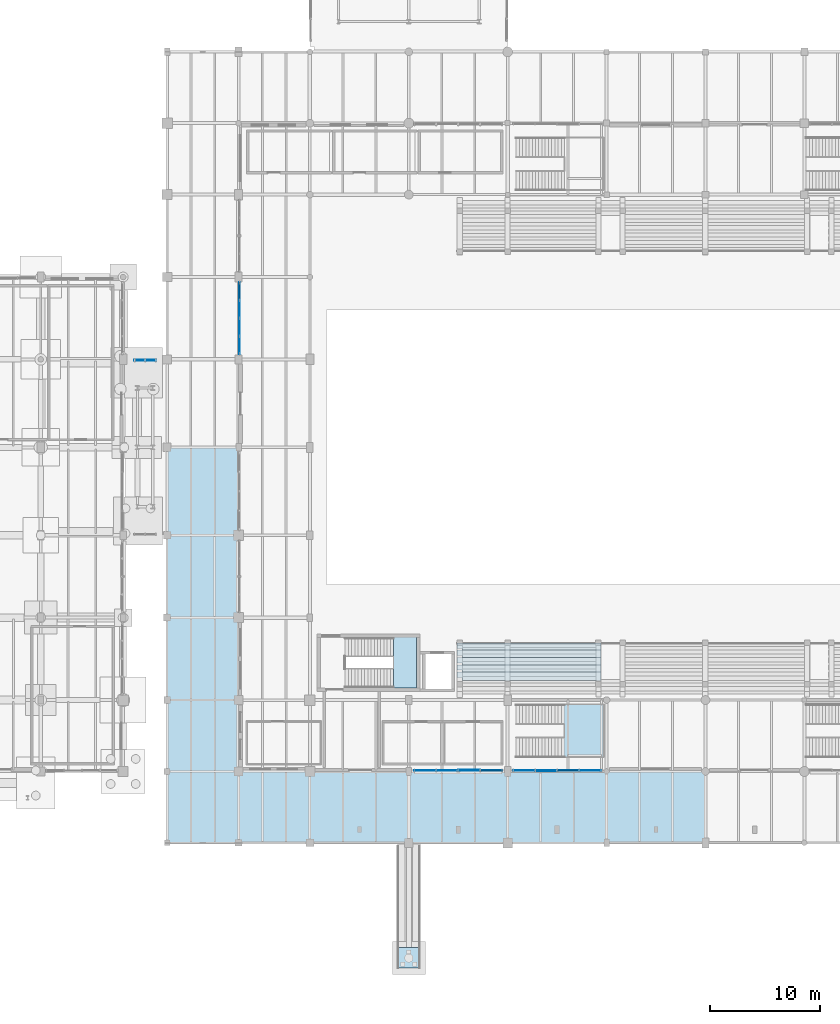
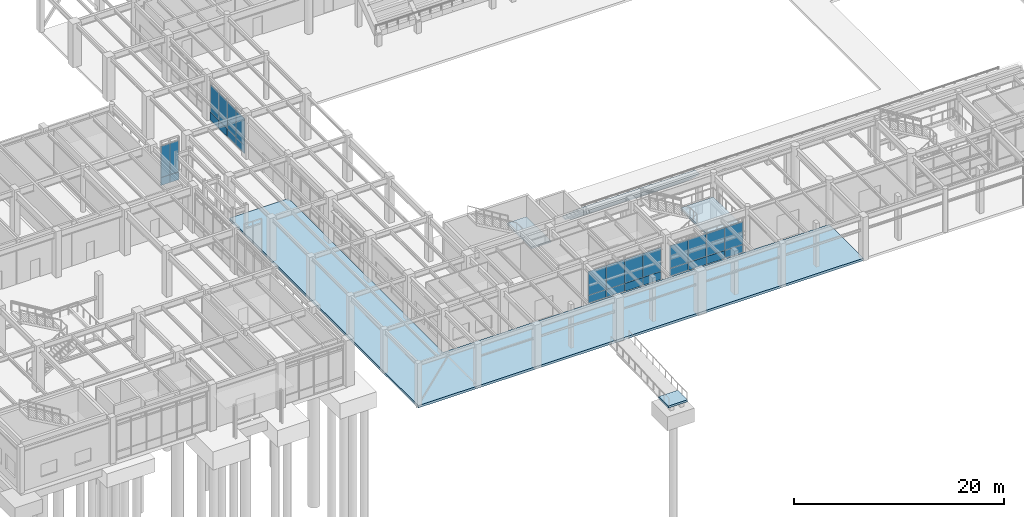
# One storey, part 152 of 203: 28 plates, 9 slabs, 7 elements without a shape of their own.
"""IFC4 building model written with IfcOpenShell, lengths in metres."""

from ifc_helpers import new_model, si_unit, direction, frame, origin, origin_2d, place, context, subcontext, project, spatial, polyline, rectangle, outline, extrude, material, layer, layer_set, type_object, element, aggregate, save


model = new_model("IFC4")

# Units and contexts
model_context = context("Model", 3, precision=1e-05, world=origin(), true_north=direction((0.0, 1.0)))
body_context = subcontext(model_context, "Body", "Model", "MODEL_VIEW")
ifc_project = project(units=[si_unit("LENGTHUNIT", "METRE"), si_unit("AREAUNIT", "SQUARE_METRE"), si_unit("VOLUMEUNIT", "CUBIC_METRE"), si_unit("PLANEANGLEUNIT", "RADIAN"), si_unit("MASSUNIT", "GRAM", prefix="KILO"), si_unit("THERMODYNAMICTEMPERATUREUNIT", "KELVIN"), si_unit("POWERUNIT", "WATT")], contexts=[model_context])

# Site, building, storey
site_placement = place(None, origin())
site = spatial("IfcSite", under=ifc_project, at=site_placement, CompositionType="ELEMENT")
building_placement = place(site_placement, origin())
building = spatial("IfcBuilding", under=site, at=building_placement, Name="Tepalcoro Natatorium and Aquatics Centre", CompositionType="ELEMENT")
storey_placement = place(building_placement, origin())
storey = spatial("IfcBuildingStorey", under=building, at=storey_placement, Name="L00", CompositionType="ELEMENT", Elevation=0.0)

# Curtain wall, plate
ifc_material_1 = material(Name="Bronze-Anodised Extruded Aluminium Alloy EN AW-6063 T6", Category="aluminium")
curtain_wall_type_1 = type_object("IfcCurtainWallType", Name="CW_V4_VILLAGE", PredefinedType="USERDEFINED", material=ifc_material_1)
curtain_wall_1_placement = place(storey_placement, origin())
curtain_wall_1 = element("IfcCurtainWall", 1, at=curtain_wall_1_placement, inside=storey, type_object=curtain_wall_type_1, Name="V1 L00 S Unitised Curtain Wall Bay 3", ObjectType="UNITISED STOREFRONT", PredefinedType="USERDEFINED")
ifc_material_2 = material(Name="Solar-Control Bronze Tempered Low-E Double Glazing", Category="glass")
ifc_layer_1 = layer(ifc_material_2, 0.048095703125)
ifc_layer_set_1 = layer_set([ifc_layer_1], Name="Solar-Control Bronze Tempered Low-E Double Glazing")
plate_type_1 = type_object("IfcPlateType", Name="PL_ACOUSTIC_IGU_48", PredefinedType="CURTAIN_PANEL", material=ifc_layer_set_1)
plate_1_placement = place(storey_placement, frame((65.4951171875, 6.590087890625, 0.9599609375), z_axis=(0.0, 0.0, 1.0), x_axis=(1.0, 0.0, 0.0)))
plate_1 = element("IfcPlate", 2, at=plate_1_placement, type_object=plate_type_1, Name="CW_V4_VILLAGE Insulated Glazing Unit", PredefinedType="CURTAIN_PANEL", context=body_context, shape_type="SweptSolid", body=[
    extrude(rectangle(XDim=1.989990234375, YDim=0.048095703125, at=origin_2d()), origin(), (0.0, 0.0, 1.0), 2.77001953125),
])

# Curtain wall, plates
curtain_wall_type_2 = type_object("IfcCurtainWallType", Name="CW_V5_LOWER", PredefinedType="USERDEFINED", material=ifc_material_1)
curtain_wall_2_placement = place(storey_placement, origin())
curtain_wall_2 = element("IfcCurtainWall", 3, at=curtain_wall_2_placement, inside=storey, type_object=curtain_wall_type_2, Name="V1 L00 S Unitised Curtain Wall Bay 4", ObjectType="UNITISED STOREFRONT", PredefinedType="USERDEFINED")
plate_2_placement = place(storey_placement, frame((72.485107421875, 6.580078125, 0.9599609375), z_axis=(0.0, 0.0, 1.0), x_axis=(1.0, 0.0, 0.0)))
plate_2 = element("IfcPlate", 4, at=plate_2_placement, type_object=plate_type_1, Name="CW_V5_LOWER Insulated Glazing Unit", PredefinedType="CURTAIN_PANEL", context=body_context, shape_type="SweptSolid", body=[
    extrude(rectangle(XDim=1.989990234375, YDim=0.048095703125, at=origin_2d()), origin(), (0.0, 0.0, 1.0), 2.631103515625),
])
plate_3_placement = place(storey_placement, frame((78.514892578125, 6.580078125, 0.9599609375), z_axis=(0.0, 0.0, 1.0), x_axis=(1.0, 0.0, 0.0)))
plate_3 = element("IfcPlate", 5, at=plate_3_placement, type_object=plate_type_1, Name="CW_V5_LOWER Insulated Glazing Unit", PredefinedType="CURTAIN_PANEL", context=body_context, shape_type="SweptSolid", body=[
    extrude(rectangle(XDim=1.989990234375, YDim=0.048095703125, at=origin_2d()), origin(), (0.0, 0.0, 1.0), 2.631103515625),
])

curtain_wall_type_3 = type_object("IfcCurtainWallType", Name="CW_V1_PLINTH", PredefinedType="USERDEFINED", material=ifc_material_1)
curtain_wall_3_placement = place(storey_placement, origin())
curtain_wall_3 = element("IfcCurtainWall", 6, at=curtain_wall_3_placement, inside=storey, type_object=curtain_wall_type_3, Name="V1 L00 W Unitised Curtain Wall Bay 6", ObjectType="UNITISED STOREFRONT", PredefinedType="USERDEFINED")
plate_4_placement = place(storey_placement, frame((46.590087890625, 45.297607421875, 0.9599609375), z_axis=(0.0, 0.0, 1.0), x_axis=(1.0, 0.0, 0.0)))
plate_4 = element("IfcPlate", 7, at=plate_4_placement, type_object=plate_type_1, Name="CW_V1_PLINTH Insulated Glazing Unit", PredefinedType="CURTAIN_PANEL", context=body_context, shape_type="SweptSolid", body=[
    extrude(rectangle(XDim=0.048095703125, YDim=1.614990234375, at=origin_2d()), origin(), (0.0, 0.0, 1.0), 3.14404296875),
])
plate_5_placement = place(storey_placement, frame((46.590087890625, 50.202392578125, 0.9599609375), z_axis=(0.0, 0.0, 1.0), x_axis=(1.0, 0.0, 0.0)))
plate_5 = element("IfcPlate", 8, at=plate_5_placement, type_object=plate_type_1, Name="CW_V1_PLINTH Insulated Glazing Unit", PredefinedType="CURTAIN_PANEL", context=body_context, shape_type="SweptSolid", body=[
    extrude(rectangle(XDim=0.048095703125, YDim=1.614990234375, at=origin_2d()), origin(), (0.0, 0.0, 1.0), 3.14404296875),
])

# Curtain wall, plate
curtain_wall_type_4 = type_object("IfcCurtainWallType", Name="CW_LINK_150", PredefinedType="USERDEFINED", material=ifc_material_1)
curtain_wall_4_placement = place(storey_placement, origin())
curtain_wall_4 = element("IfcCurtainWall", 9, at=curtain_wall_4_placement, inside=storey, type_object=curtain_wall_type_4, Name="West Foyer Seismic Link Glazed Wall N L00", ObjectType="UNITISED STOREFRONT", PredefinedType="USERDEFINED")
plate_6_placement = place(storey_placement, frame((37.5, 43.919921875, 0.9599609375), z_axis=(0.0, 0.0, 1.0), x_axis=(1.0, 0.0, 0.0)))
plate_6 = element("IfcPlate", 10, at=plate_6_placement, type_object=plate_type_1, Name="CW_LINK_150 Insulated Glazing Unit", PredefinedType="CURTAIN_PANEL", context=body_context, shape_type="SweptSolid", body=[
    extrude(rectangle(XDim=0.97998046875, YDim=0.048095703125, at=origin_2d()), origin(), (0.0, 0.0, 1.0), 3.639892578125),
])

# Plate
ifc_layer_2 = layer(ifc_material_2, 0.028076171875)
ifc_layer_set_2 = layer_set([ifc_layer_2], Name="Solar-Control Bronze Tempered Low-E Double Glazing")
plate_type_2 = type_object("IfcPlateType", Name="PL_BRONZE_IGU_28", PredefinedType="CURTAIN_PANEL", material=ifc_layer_set_2)
plate_7_placement = place(storey_placement, frame((63.485107421875, 6.590087890625, 0.9599609375), z_axis=(0.0, 0.0, 1.0), x_axis=(1.0, 0.0, 0.0)))
plate_7 = element("IfcPlate", 11, at=plate_7_placement, type_object=plate_type_2, Name="CW_V4_VILLAGE Insulated Glazing Unit", PredefinedType="CURTAIN_PANEL", context=body_context, shape_type="SweptSolid", body=[
    extrude(rectangle(XDim=1.989990234375, YDim=0.028076171875, at=origin_2d()), origin(), (0.0, 0.0, 1.0), 2.77001953125),
])

plate_8_placement = place(storey_placement, frame((69.514892578125, 6.590087890625, 0.9599609375), z_axis=(0.0, 0.0, 1.0), x_axis=(1.0, 0.0, 0.0)))
plate_8 = element("IfcPlate", 12, at=plate_8_placement, type_object=plate_type_2, Name="CW_V4_VILLAGE Insulated Glazing Unit", PredefinedType="CURTAIN_PANEL", context=body_context, shape_type="SweptSolid", body=[
    extrude(rectangle(XDim=1.989990234375, YDim=0.028076171875, at=origin_2d()), origin(), (0.0, 0.0, 1.0), 2.77001953125),
])

plate_9_placement = place(storey_placement, frame((76.5048828125, 6.580078125, 0.9599609375), z_axis=(0.0, 0.0, 1.0), x_axis=(1.0, 0.0, 0.0)))
plate_9 = element("IfcPlate", 13, at=plate_9_placement, type_object=plate_type_2, Name="CW_V5_LOWER Insulated Glazing Unit", PredefinedType="CURTAIN_PANEL", context=body_context, shape_type="SweptSolid", body=[
    extrude(rectangle(XDim=1.989990234375, YDim=0.028076171875, at=origin_2d()), origin(), (0.0, 0.0, 1.0), 2.631103515625),
])

plate_10_placement = place(storey_placement, frame((46.590087890625, 48.5673828125, 0.9599609375), z_axis=(0.0, 0.0, 1.0), x_axis=(1.0, 0.0, 0.0)))
plate_10 = element("IfcPlate", 14, at=plate_10_placement, type_object=plate_type_2, Name="CW_V1_PLINTH Insulated Glazing Unit", PredefinedType="CURTAIN_PANEL", context=body_context, shape_type="SweptSolid", body=[
    extrude(rectangle(XDim=0.028076171875, YDim=1.614990234375, at=origin_2d()), origin(), (0.0, 0.0, 1.0), 3.14404296875),
])

ifc_material_3 = material(Name="Jalisco Cantera Rosa Volcanic Tuff Ashlar Masonry", Category="masonry")
ifc_layer_3 = layer(ifc_material_3, 0.090087890625)
ifc_layer_set_3 = layer_set([ifc_layer_3], Name="Jalisco Cantera Rosa Volcanic Tuff Ashlar Masonry")
plate_type_3 = type_object("IfcPlateType", Name="PL_CANTERA_90", PredefinedType="SHEET", material=ifc_layer_set_3)
plate_11_placement = place(storey_placement, frame((67.5048828125, 6.590087890625, 0.044921875), z_axis=(0.0, 0.0, 1.0), x_axis=(1.0, 0.0, 0.0)))
plate_11 = element("IfcPlate", 15, at=plate_11_placement, type_object=plate_type_3, Name="CW_V4_VILLAGE Spandrel & Screen Panel", PredefinedType="SHEET", context=body_context, shape_type="SweptSolid", body=[
    extrude(rectangle(XDim=1.989990234375, YDim=0.090087890625, at=origin_2d()), origin(), (0.0, 0.0, 1.0), 0.909912109375),
])

plate_12_placement = place(storey_placement, frame((74.4951171875, 6.580078125, 0.044921875), z_axis=(0.0, 0.0, 1.0), x_axis=(1.0, 0.0, 0.0)))
plate_12 = element("IfcPlate", 16, at=plate_12_placement, type_object=plate_type_3, Name="CW_V5_LOWER Spandrel & Screen Panel", PredefinedType="SHEET", context=body_context, shape_type="SweptSolid", body=[
    extrude(rectangle(XDim=1.989990234375, YDim=0.090087890625, at=origin_2d()), origin(), (0.0, 0.0, 1.0), 0.909912109375),
])

plate_13_placement = place(storey_placement, frame((46.590087890625, 48.5673828125, 0.044921875), z_axis=(0.0, 0.0, 1.0), x_axis=(1.0, 0.0, 0.0)))
plate_13 = element("IfcPlate", 17, at=plate_13_placement, type_object=plate_type_3, Name="CW_V1_PLINTH Spandrel & Screen Panel", PredefinedType="SHEET", context=body_context, shape_type="SweptSolid", body=[
    extrude(rectangle(XDim=0.090087890625, YDim=1.614990234375, at=origin_2d()), origin(), (0.0, 0.0, 1.0), 0.909912109375),
])

plate_14_placement = place(storey_placement, frame((38.5, 43.919921875, 0.044921875), z_axis=(0.0, 0.0, 1.0), x_axis=(1.0, 0.0, 0.0)))
plate_14 = element("IfcPlate", 18, at=plate_14_placement, type_object=plate_type_3, Name="CW_LINK_150 Spandrel & Screen Panel", PredefinedType="SHEET", context=body_context, shape_type="SweptSolid", body=[
    extrude(rectangle(XDim=0.97998046875, YDim=0.090087890625, at=origin_2d()), origin(), (0.0, 0.0, 1.0), 0.909912109375),
])

ifc_material_4 = material(Name="Clear Tempered Low-E Safety Glazing", Category="glass")
ifc_layer_4 = layer(ifc_material_4, 0.011962890625)
ifc_layer_set_4 = layer_set([ifc_layer_4], Name="Clear Tempered Low-E Safety Glazing")
plate_type_4 = type_object("IfcPlateType", Name="PL_GLASS_12", PredefinedType="CURTAIN_PANEL", material=ifc_layer_set_4)
plate_15_placement = place(storey_placement, frame((67.5048828125, 6.590087890625, 0.9599609375), z_axis=(0.0, 0.0, 1.0), x_axis=(1.0, 0.0, 0.0)))
plate_15 = element("IfcPlate", 19, at=plate_15_placement, type_object=plate_type_4, Name="CW_V4_VILLAGE Insulated Glazing Unit", PredefinedType="CURTAIN_PANEL", context=body_context, shape_type="SweptSolid", body=[
    extrude(rectangle(XDim=1.989990234375, YDim=0.011962890625, at=origin_2d()), origin(), (0.0, 0.0, 1.0), 2.77001953125),
])

plate_16_placement = place(storey_placement, frame((74.4951171875, 6.580078125, 0.9599609375), z_axis=(0.0, 0.0, 1.0), x_axis=(1.0, 0.0, 0.0)))
plate_16 = element("IfcPlate", 20, at=plate_16_placement, type_object=plate_type_4, Name="CW_V5_LOWER Insulated Glazing Unit", PredefinedType="CURTAIN_PANEL", context=body_context, shape_type="SweptSolid", body=[
    extrude(rectangle(XDim=1.989990234375, YDim=0.011962890625, at=origin_2d()), origin(), (0.0, 0.0, 1.0), 2.631103515625),
])

plate_17_placement = place(storey_placement, frame((46.590087890625, 46.9326171875, 0.9599609375), z_axis=(0.0, 0.0, 1.0), x_axis=(1.0, 0.0, 0.0)))
plate_17 = element("IfcPlate", 21, at=plate_17_placement, type_object=plate_type_4, Name="CW_V1_PLINTH Insulated Glazing Unit", PredefinedType="CURTAIN_PANEL", context=body_context, shape_type="SweptSolid", body=[
    extrude(rectangle(XDim=0.011962890625, YDim=1.614990234375, at=origin_2d()), origin(), (0.0, 0.0, 1.0), 3.14404296875),
])

plate_18_placement = place(storey_placement, frame((38.5, 43.919921875, 0.9599609375), z_axis=(0.0, 0.0, 1.0), x_axis=(1.0, 0.0, 0.0)))
plate_18 = element("IfcPlate", 22, at=plate_18_placement, type_object=plate_type_4, Name="CW_LINK_150 Insulated Glazing Unit", PredefinedType="CURTAIN_PANEL", context=body_context, shape_type="SweptSolid", body=[
    extrude(rectangle(XDim=0.97998046875, YDim=0.011962890625, at=origin_2d()), origin(), (0.0, 0.0, 1.0), 3.639892578125),
])

ifc_material_5 = material(Name="Volcanic Recinto Basalt Ashlar Masonry", Category="masonry")
ifc_layer_5 = layer(ifc_material_5, 0.110107421875)
ifc_layer_set_5 = layer_set([ifc_layer_5], Name="Volcanic Recinto Basalt Ashlar Masonry")
plate_type_5 = type_object("IfcPlateType", Name="PL_RECINTO_110", PredefinedType="SHEET", material=ifc_layer_set_5)
plate_19_placement = place(storey_placement, frame((69.514892578125, 6.590087890625, 0.044921875), z_axis=(0.0, 0.0, 1.0), x_axis=(1.0, 0.0, 0.0)))
plate_19 = element("IfcPlate", 23, at=plate_19_placement, type_object=plate_type_5, Name="CW_V4_VILLAGE Spandrel & Screen Panel", PredefinedType="SHEET", context=body_context, shape_type="SweptSolid", body=[
    extrude(rectangle(XDim=1.989990234375, YDim=0.110107421875, at=origin_2d()), origin(), (0.0, 0.0, 1.0), 0.909912109375),
])

plate_20_placement = place(storey_placement, frame((76.5048828125, 6.580078125, 0.044921875), z_axis=(0.0, 0.0, 1.0), x_axis=(1.0, 0.0, 0.0)))
plate_20 = element("IfcPlate", 24, at=plate_20_placement, type_object=plate_type_5, Name="CW_V5_LOWER Spandrel & Screen Panel", PredefinedType="SHEET", context=body_context, shape_type="SweptSolid", body=[
    extrude(rectangle(XDim=1.989990234375, YDim=0.110107421875, at=origin_2d()), origin(), (0.0, 0.0, 1.0), 0.909912109375),
])

plate_21_placement = place(storey_placement, frame((46.590087890625, 50.202392578125, 0.044921875), z_axis=(0.0, 0.0, 1.0), x_axis=(1.0, 0.0, 0.0)))
plate_21 = element("IfcPlate", 25, at=plate_21_placement, type_object=plate_type_5, Name="CW_V1_PLINTH Spandrel & Screen Panel", PredefinedType="SHEET", context=body_context, shape_type="SweptSolid", body=[
    extrude(rectangle(XDim=0.110107421875, YDim=1.614990234375, at=origin_2d()), origin(), (0.0, 0.0, 1.0), 0.909912109375),
])

ifc_layer_6 = layer(ifc_material_1, 0.050048828125)
ifc_layer_set_6 = layer_set([ifc_layer_6], Name="Bronze-Anodised Extruded Aluminium Alloy EN AW-6063 T6")
plate_type_6 = type_object("IfcPlateType", Name="PL_SCREEN_50", PredefinedType="SHEET", material=ifc_layer_set_6)
plate_22_placement = place(storey_placement, frame((63.485107421875, 6.590087890625, 0.044921875), z_axis=(0.0, 0.0, 1.0), x_axis=(1.0, 0.0, 0.0)))
plate_22 = element("IfcPlate", 26, at=plate_22_placement, type_object=plate_type_6, Name="CW_V4_VILLAGE Spandrel & Screen Panel", PredefinedType="SHEET", context=body_context, shape_type="SweptSolid", body=[
    extrude(rectangle(XDim=1.989990234375, YDim=0.050048828125, at=origin_2d()), origin(), (0.0, 0.0, 1.0), 0.909912109375),
])

plate_23_placement = place(storey_placement, frame((46.590087890625, 45.297607421875, 0.044921875), z_axis=(0.0, 0.0, 1.0), x_axis=(1.0, 0.0, 0.0)))
plate_23 = element("IfcPlate", 27, at=plate_23_placement, type_object=plate_type_6, Name="CW_V1_PLINTH Spandrel & Screen Panel", PredefinedType="SHEET", context=body_context, shape_type="SweptSolid", body=[
    extrude(rectangle(XDim=0.050048828125, YDim=1.614990234375, at=origin_2d()), origin(), (0.0, 0.0, 1.0), 0.909912109375),
])

ifc_layer_7 = layer(ifc_material_1, 0.06005859375)
ifc_layer_set_7 = layer_set([ifc_layer_7], Name="Bronze-Anodised Extruded Aluminium Alloy EN AW-6063 T6")
plate_type_7 = type_object("IfcPlateType", Name="PL_SCREEN_60", PredefinedType="SHEET", material=ifc_layer_set_7)
plate_24_placement = place(storey_placement, frame((65.4951171875, 6.590087890625, 0.044921875), z_axis=(0.0, 0.0, 1.0), x_axis=(1.0, 0.0, 0.0)))
plate_24 = element("IfcPlate", 28, at=plate_24_placement, type_object=plate_type_7, Name="CW_V4_VILLAGE Spandrel & Screen Panel", PredefinedType="SHEET", context=body_context, shape_type="SweptSolid", body=[
    extrude(rectangle(XDim=1.989990234375, YDim=0.06005859375, at=origin_2d()), origin(), (0.0, 0.0, 1.0), 0.909912109375),
])

aggregate(curtain_wall_1, [plate_7, plate_22, plate_1, plate_24, plate_15, plate_11, plate_8, plate_19])

plate_25_placement = place(storey_placement, frame((72.485107421875, 6.580078125, 0.044921875), z_axis=(0.0, 0.0, 1.0), x_axis=(1.0, 0.0, 0.0)))
plate_25 = element("IfcPlate", 29, at=plate_25_placement, type_object=plate_type_7, Name="CW_V5_LOWER Spandrel & Screen Panel", PredefinedType="SHEET", context=body_context, shape_type="SweptSolid", body=[
    extrude(rectangle(XDim=1.989990234375, YDim=0.06005859375, at=origin_2d()), origin(), (0.0, 0.0, 1.0), 0.909912109375),
])

plate_26_placement = place(storey_placement, frame((46.590087890625, 46.9326171875, 0.044921875), z_axis=(0.0, 0.0, 1.0), x_axis=(1.0, 0.0, 0.0)))
plate_26 = element("IfcPlate", 30, at=plate_26_placement, type_object=plate_type_7, Name="CW_V1_PLINTH Spandrel & Screen Panel", PredefinedType="SHEET", context=body_context, shape_type="SweptSolid", body=[
    extrude(rectangle(XDim=0.06005859375, YDim=1.614990234375, at=origin_2d()), origin(), (0.0, 0.0, 1.0), 0.909912109375),
])

aggregate(curtain_wall_3, [plate_4, plate_23, plate_17, plate_26, plate_10, plate_13, plate_5, plate_21])

plate_27_placement = place(storey_placement, frame((37.5, 43.919921875, 0.044921875), z_axis=(0.0, 0.0, 1.0), x_axis=(1.0, 0.0, 0.0)))
plate_27 = element("IfcPlate", 31, at=plate_27_placement, type_object=plate_type_7, Name="CW_LINK_150 Spandrel & Screen Panel", PredefinedType="SHEET", context=body_context, shape_type="SweptSolid", body=[
    extrude(rectangle(XDim=0.97998046875, YDim=0.06005859375, at=origin_2d()), origin(), (0.0, 0.0, 1.0), 0.909912109375),
])

aggregate(curtain_wall_4, [plate_6, plate_27, plate_18, plate_14])

ifc_material_6 = material(Name="Insulated Bronze Anodised Aluminium Spandrel Panel", Category="aluminium")
ifc_layer_8 = layer(ifc_material_6, 0.070068359375)
ifc_layer_set_8 = layer_set([ifc_layer_8], Name="Insulated Bronze Anodised Aluminium Spandrel Panel")
plate_type_8 = type_object("IfcPlateType", Name="PL_SPANDREL_70", PredefinedType="CURTAIN_PANEL", material=ifc_layer_set_8)
plate_28_placement = place(storey_placement, frame((78.514892578125, 6.580078125, 0.044921875), z_axis=(0.0, 0.0, 1.0), x_axis=(1.0, 0.0, 0.0)))
plate_28 = element("IfcPlate", 32, at=plate_28_placement, type_object=plate_type_8, Name="CW_V5_LOWER Spandrel & Screen Panel", PredefinedType="CURTAIN_PANEL", context=body_context, shape_type="SweptSolid", body=[
    extrude(rectangle(XDim=1.989990234375, YDim=0.070068359375, at=origin_2d()), origin(), (0.0, 0.0, 1.0), 0.909912109375),
])

aggregate(curtain_wall_2, [plate_2, plate_25, plate_16, plate_12, plate_9, plate_20, plate_3, plate_28])

# Slab
ifc_material_7 = material(Name="Concrete C35/45 (fc 35 MPa)", Category="concrete")
ifc_layer_9 = layer(ifc_material_7, 0.280029296875)
ifc_layer_set_9 = layer_set([ifc_layer_9], Name="Concrete C35/45 (fc 35 MPa)")
slab_type_1 = type_object("IfcSlabType", Name="SL_FLOOR_280", PredefinedType="FLOOR", material=ifc_layer_set_9)
slab_1_placement = place(storey_placement, frame((0.0, 0.0, -0.280029296875)))
element("IfcSlab", 33, at=slab_1_placement, inside=storey, type_object=slab_type_1, Name="V1 Covered Plinth Colonnade Apron SW", PredefinedType="FLOOR", context=body_context, shape_type="SweptSolid", body=[
    extrude(outline(polyline([(40.0, 36.0), (46.5, 36.0), (46.5, 6.5), (89.0, 6.5), (89.0, 0.0), (40.0, 0.0), (40.0, 36.0)])), origin(), (0.0, 0.0, 1.0), 0.280029296875),
])

# Stair, slab
stair_type_1 = type_object("IfcStairType", Name="ST_RC_1800_L00", PredefinedType="HALF_TURN_STAIR", material=ifc_material_7)
stair_1_placement = place(storey_placement, origin())
stair_1 = element("IfcStair", 34, at=stair_1_placement, inside=storey, type_object=stair_type_1, Name="Natatorium West Fire Stair (L00 to L01)", PredefinedType="HALF_TURN_STAIR")
ifc_layer_10 = layer(ifc_material_7, 0.199951171875)
ifc_layer_set_10 = layer_set([ifc_layer_10], Name="Concrete C35/45 (fc 35 MPa)")
slab_type_2 = type_object("IfcSlabType", Name="SL_LANDING_200", PredefinedType="LANDING", material=ifc_layer_set_10)
slab_2_placement = place(storey_placement, frame((0.0, 0.0, 2.5)))
slab_2 = element("IfcSlab", 35, at=slab_2_placement, type_object=slab_type_2, Name="Natatorium West Fire Stair (L00 to L01) Half-Landing", PredefinedType="LANDING", context=body_context, shape_type="SweptSolid", body=[
    extrude(outline(polyline([(60.5849609375, 14.080078125), (62.719970703125, 14.080078125), (62.719970703125, 18.719970703125), (60.5849609375, 18.719970703125), (60.5849609375, 14.080078125)])), origin(), (0.0, 0.0, 1.0), 0.199951171875),
])
aggregate(stair_1, [slab_2])

stair_type_2 = type_object("IfcStairType", Name="ST_ST_1800_VOM1", PredefinedType="STRAIGHT_RUN_STAIR", material=ifc_material_7)
stair_2_placement = place(storey_placement, origin())
stair_2 = element("IfcStair", 36, at=stair_2_placement, inside=storey, type_object=stair_type_2, Name="Spectator Concourse Vomitory Stair SW", PredefinedType="STRAIGHT_RUN_STAIR")
slab_3_placement = place(storey_placement, frame((0.0, 0.0, 2.5)))
slab_3 = element("IfcSlab", 37, at=slab_3_placement, type_object=slab_type_2, Name="Spectator Concourse Vomitory Stair SW Half-Landing", PredefinedType="LANDING", context=body_context, shape_type="SweptSolid", body=[
    extrude(outline(polyline([(76.14501953125, 7.77001953125), (79.780029296875, 7.77001953125), (79.780029296875, 12.6298828125), (76.14501953125, 12.6298828125), (76.14501953125, 7.77001953125)])), origin(), (0.0, 0.0, 1.0), 0.199951171875),
])
aggregate(stair_2, [slab_3])

# Ramp, slab
ramp_type = type_object("IfcRampType", Name="RP_PED_2100", PredefinedType="STRAIGHT_RUN_RAMP", material=ifc_material_7)
ramp_placement = place(storey_placement, origin())
ramp = element("IfcRamp", 38, at=ramp_placement, inside=storey, type_object=ramp_type, Name="V1 South Colonnade Accessible Ramp West", PredefinedType="STRAIGHT_RUN_RAMP")
slab_4_placement = place(storey_placement, frame((0.0, 0.0, -0.699951171875)))
slab_4 = element("IfcSlab", 39, at=slab_4_placement, type_object=slab_type_2, Name="V1 South Colonnade Accessible Ramp West Bottom Level Landing", PredefinedType="LANDING", context=body_context, shape_type="SweptSolid", body=[
    extrude(outline(polyline([(63.050048828125, -11.39990234375), (63.050048828125, -9.5400390625), (60.949951171875, -9.5400390625), (60.949951171875, -11.39990234375), (63.050048828125, -11.39990234375)])), origin(), (0.0, 0.0, 1.0), 0.219970703125),
])
aggregate(ramp, [slab_4])

# Slabs
ifc_material_8 = material(Name="Concrete C40/50 (fc 40 MPa)", Category="concrete")
ifc_layer_11 = layer(ifc_material_8, 0.179931640625)
ifc_layer_set_11 = layer_set([ifc_layer_11], Name="Concrete C40/50 (fc 40 MPa)")
slab_type_3 = type_object("IfcSlabType", Name="SL_TIER_180", PredefinedType="USERDEFINED", material=ifc_layer_set_11)
slab_5_placement = place(storey_placement, frame((0.0, 0.0, 1.6201171875)))
element("IfcSlab", 40, at=slab_5_placement, inside=storey, type_object=slab_type_3, Name="Spectator Bowl S Precast Seating Tier 1-W", ObjectType="SEATING TIER", PredefinedType="USERDEFINED", context=body_context, shape_type="SweptSolid", body=[
    extrude(outline(polyline([(66.39990234375, 18.199951171875), (79.5, 18.199951171875), (79.5, 17.455810546875), (66.85009765625, 17.455810546875), (66.85009765625, 17.705810546875), (66.39990234375, 17.705810546875), (66.39990234375, 18.199951171875)])), origin(), (0.0, 0.0, 1.0), 0.179931640625),
])
slab_6_placement = place(storey_placement, frame((0.0, 0.0, 2.219970703125)))
element("IfcSlab", 41, at=slab_6_placement, inside=storey, type_object=slab_type_3, Name="Spectator Bowl S Precast Seating Tier 2-W", ObjectType="SEATING TIER", PredefinedType="USERDEFINED", context=body_context, shape_type="SweptSolid", body=[
    extrude(outline(polyline([(66.39990234375, 17.53564453125), (79.5, 17.53564453125), (79.5, 16.79150390625), (66.85009765625, 16.79150390625), (66.85009765625, 17.04150390625), (66.39990234375, 17.04150390625), (66.39990234375, 17.53564453125)])), origin(), (0.0, 0.0, 1.0), 0.179931640625),
])
slab_7_placement = place(storey_placement, frame((0.0, 0.0, 2.820068359375)))
element("IfcSlab", 42, at=slab_7_placement, inside=storey, type_object=slab_type_3, Name="Spectator Bowl S Precast Seating Tier 3-W", ObjectType="SEATING TIER", PredefinedType="USERDEFINED", context=body_context, shape_type="SweptSolid", body=[
    extrude(outline(polyline([(66.39990234375, 16.871337890625), (79.5, 16.871337890625), (79.5, 16.127197265625), (66.85009765625, 16.127197265625), (66.85009765625, 16.377197265625), (66.39990234375, 16.377197265625), (66.39990234375, 16.871337890625)])), origin(), (0.0, 0.0, 1.0), 0.179931640625),
])
slab_8_placement = place(storey_placement, frame((0.0, 0.0, 3.419921875)))
element("IfcSlab", 43, at=slab_8_placement, inside=storey, type_object=slab_type_3, Name="Spectator Bowl S Precast Seating Tier 4-W", ObjectType="SEATING TIER", PredefinedType="USERDEFINED", context=body_context, shape_type="SweptSolid", body=[
    extrude(outline(polyline([(66.39990234375, 16.20703125), (79.5, 16.20703125), (79.5, 15.462890625), (66.85009765625, 15.462890625), (66.85009765625, 15.712890625), (66.39990234375, 15.712890625), (66.39990234375, 16.20703125)])), origin(), (0.0, 0.0, 1.0), 0.18017578125),
])
slab_9_placement = place(storey_placement, frame((0.0, 0.0, 4.02001953125)))
element("IfcSlab", 44, at=slab_9_placement, inside=storey, type_object=slab_type_3, Name="Spectator Bowl S Precast Seating Tier 5-W", ObjectType="SEATING TIER", PredefinedType="USERDEFINED", context=body_context, shape_type="SweptSolid", body=[
    extrude(outline(polyline([(66.39990234375, 15.54296875), (79.5, 15.54296875), (79.5, 14.798583984375), (66.85009765625, 14.798583984375), (66.85009765625, 15.048583984375), (66.39990234375, 15.048583984375), (66.39990234375, 15.54296875)])), origin(), (0.0, 0.0, 1.0), 0.179931640625),
])

save(model, "model.ifc")
